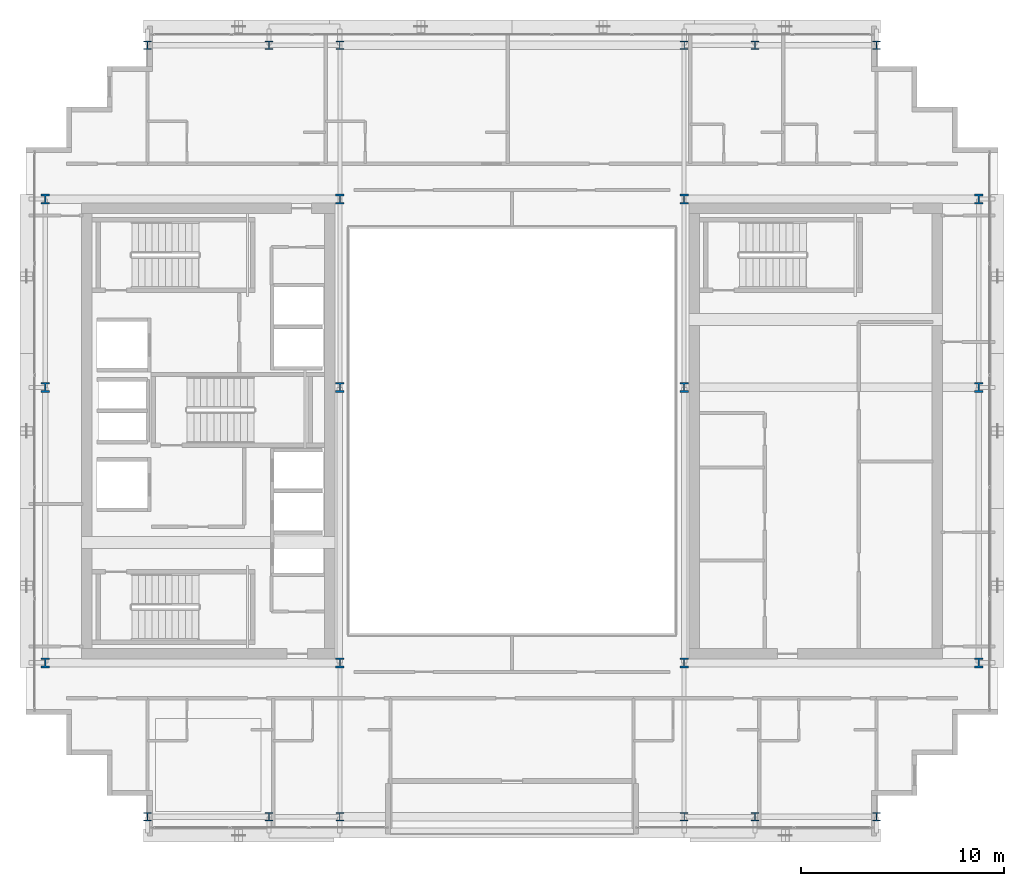
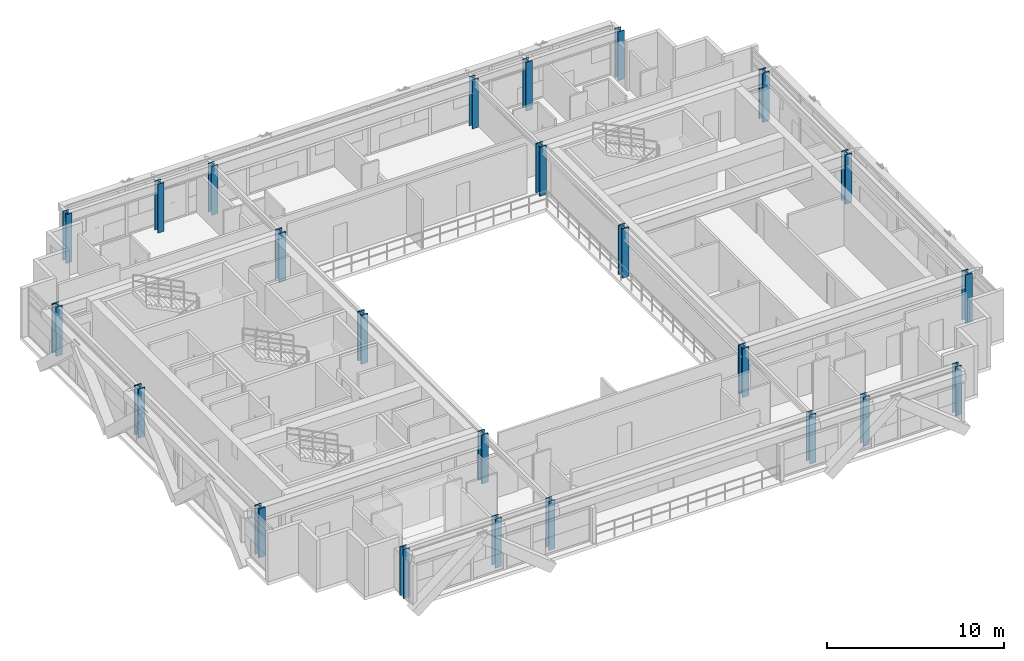
# One storey, part 1 of 31: 24 columns.
"""IFC4 building model written with IfcOpenShell, lengths in metres."""

from ifc_helpers import new_model, si_unit, direction, frame, origin, origin_2d, place, context, subcontext, project, spatial, i_section, extrude, source, transform, mapped, material, material_profile, profile_set, type_object, element, save


model = new_model("IFC4")

# Units and contexts
model_context = context("Model", 3, precision=1e-05, world=origin(), true_north=direction((0.0, 1.0)))
body_context = subcontext(model_context, "Body", "Model", "MODEL_VIEW")
ifc_project = project(units=[si_unit("LENGTHUNIT", "METRE"), si_unit("AREAUNIT", "SQUARE_METRE"), si_unit("VOLUMEUNIT", "CUBIC_METRE"), si_unit("PLANEANGLEUNIT", "RADIAN"), si_unit("MASSUNIT", "GRAM", prefix="KILO")], contexts=[model_context])

# Site, building, storey
site_placement = place(None, origin())
site = spatial("IfcSite", under=ifc_project, at=site_placement, CompositionType="ELEMENT")
building_placement = place(site_placement, origin())
building = spatial("IfcBuilding", under=site, at=building_placement, Name="Ocotamira Hotel", CompositionType="ELEMENT")
storey_placement = place(building_placement, frame((0.0, 0.0, 174.0)))
storey = spatial("IfcBuildingStorey", under=building, at=storey_placement, Name="L43", CompositionType="ELEMENT", Elevation=174.0)

# Columns
ifc_material = material(Name="Steel ASTM A913 Grade 65", Category="steel")
ifc_material_profile_1 = material_profile(ifc_material, i_section(OverallWidth=0.431884765625, OverallDepth=0.498046875, WebThickness=0.0556640625, FlangeThickness=0.0888671875, FilletRadius=0.02490234375, at=origin_2d()), Name="W14X500")
ifc_profile_set_1 = profile_set([ifc_material_profile_1], Name="Steel ASTM A913 Grade 65")
column_type_1 = type_object("IfcColumnType", Name="COL-W14X500", PredefinedType="COLUMN", material=ifc_profile_set_1)
shared_shape_1 = source(origin(), body_context, "Body", "SweptSolid", [
    extrude(i_section(OverallWidth=0.431884765625, OverallDepth=0.498046875, WebThickness=0.0556640625, FlangeThickness=0.0888671875, FilletRadius=0.02490234375, at=origin_2d()), origin(), (0.0, 0.0, 1.0), 3.3701171875),
])
for number, where, z_axis, x_axis, name in (
    (1, (8.949951171875, 14.550048828125, 0.0), (0.0, 0.0, 1.0), (1.0, 0.0, 0.0), "L43 Column TW8_14"),
    (2, (23.5, 14.550048828125, 0.0), (0.0, 0.0, 1.0), (1.0, 0.0, 0.0), "L43 Column TW23_14"),
    (3, (40.5, 14.550048828125, 0.0), (0.0, 0.0, 1.0), (1.0, 0.0, 0.0), "L43 Column TE40_14"),
    (4, (55.050048828125, 14.550048828125, 0.0), (0.0, 0.0, 1.0), (1.0, 0.0, 0.0), "L43 Column TE55_14"),
    (5, (8.949951171875, 28.14990234375, 0.0), (0.0, 0.0, 1.0), (1.0, 0.0, 0.0), "L43 Column TW8_28"),
    (6, (23.5, 28.14990234375, 0.0), (0.0, 0.0, 1.0), (1.0, 0.0, 0.0), "L43 Column TW23_28"),
    (7, (40.5, 28.14990234375, 0.0), (0.0, 0.0, 1.0), (1.0, 0.0, 0.0), "L43 Column TE40_28"),
    (8, (55.050048828125, 28.14990234375, 0.0), (0.0, 0.0, 1.0), (1.0, 0.0, 0.0), "L43 Column TE55_28"),
    (9, (8.949951171875, 37.449951171875, 0.0), (0.0, 0.0, 1.0), (1.0, 0.0, 0.0), "L43 Column TW8_37"),
    (10, (23.5, 37.449951171875, 0.0), (0.0, 0.0, 1.0), (1.0, 0.0, 0.0), "L43 Column TW23_37"),
    (11, (40.5, 37.449951171875, 0.0), (0.0, 0.0, 1.0), (1.0, 0.0, 0.0), "L43 Column TE40_37"),
    (12, (55.050048828125, 37.449951171875, 0.0), (0.0, 0.0, 1.0), (1.0, 0.0, 0.0), "L43 Column TE55_37"),
):
    element("IfcColumn", number, at=place(storey_placement, frame(where, z_axis=z_axis, x_axis=x_axis)), inside=storey, type_object=column_type_1, Name=name, PredefinedType="COLUMN", context=body_context, shape_type="MappedRepresentation", body=[
        mapped(shared_shape_1, transform((0.0, 0.0, 0.0), scale=1.0)),
    ])
ifc_material_profile_2 = material_profile(ifc_material, i_section(OverallWidth=0.404052734375, OverallDepth=0.406982421875, WebThickness=0.027099609375, FlangeThickness=0.043701171875, FilletRadius=0.02490234375, at=origin_2d()), Name="W14X233")
ifc_profile_set_2 = profile_set([ifc_material_profile_2], Name="Steel ASTM A913 Grade 65")
column_type_2 = type_object("IfcColumnType", Name="COL-W14X233", PredefinedType="COLUMN", material=ifc_profile_set_2)
shared_shape_2 = source(origin(), body_context, "Body", "SweptSolid", [
    extrude(i_section(OverallWidth=0.404052734375, OverallDepth=0.406982421875, WebThickness=0.027099609375, FlangeThickness=0.043701171875, FilletRadius=0.02490234375, at=origin_2d()), origin(), (0.0, 0.0, 1.0), 3.3701171875),
])
for number, where, z_axis, x_axis, name in (
    (13, (14.0, 6.949951171875, 0.0), (0.0, 0.0, 1.0), (1.0, 0.0, 0.0), "L43 Column NSP1_14"),
    (14, (20.0, 6.949951171875, 0.0), (0.0, 0.0, 1.0), (1.0, 0.0, 0.0), "L43 Column NSP1_20"),
    (15, (23.5, 6.949951171875, 0.0), (0.0, 0.0, 1.0), (1.0, 0.0, 0.0), "L43 Column NSP1_23"),
    (16, (40.5, 6.949951171875, 0.0), (0.0, 0.0, 1.0), (1.0, 0.0, 0.0), "L43 Column NSP1_40"),
    (17, (44.0, 6.949951171875, 0.0), (0.0, 0.0, 1.0), (1.0, 0.0, 0.0), "L43 Column NSP1_44"),
    (18, (50.0, 6.949951171875, 0.0), (0.0, 0.0, 1.0), (1.0, 0.0, 0.0), "L43 Column NSP1_50"),
    (19, (14.0, 45.050048828125, 0.0), (0.0, 0.0, 1.0), (1.0, 0.0, 0.0), "L43 Column NSP2_14"),
    (20, (20.0, 45.050048828125, 0.0), (0.0, 0.0, 1.0), (1.0, 0.0, 0.0), "L43 Column NSP2_20"),
    (21, (23.5, 45.050048828125, 0.0), (0.0, 0.0, 1.0), (1.0, 0.0, 0.0), "L43 Column NSP2_23"),
    (22, (40.5, 45.050048828125, 0.0), (0.0, 0.0, 1.0), (1.0, 0.0, 0.0), "L43 Column NSP2_40"),
    (23, (44.0, 45.050048828125, 0.0), (0.0, 0.0, 1.0), (1.0, 0.0, 0.0), "L43 Column NSP2_44"),
    (24, (50.0, 45.050048828125, 0.0), (0.0, 0.0, 1.0), (1.0, 0.0, 0.0), "L43 Column NSP2_50"),
):
    element("IfcColumn", number, at=place(storey_placement, frame(where, z_axis=z_axis, x_axis=x_axis)), inside=storey, type_object=column_type_2, Name=name, PredefinedType="COLUMN", context=body_context, shape_type="MappedRepresentation", body=[
        mapped(shared_shape_2, transform((0.0, 0.0, 0.0), scale=1.0)),
    ])

save(model, "model.ifc")
